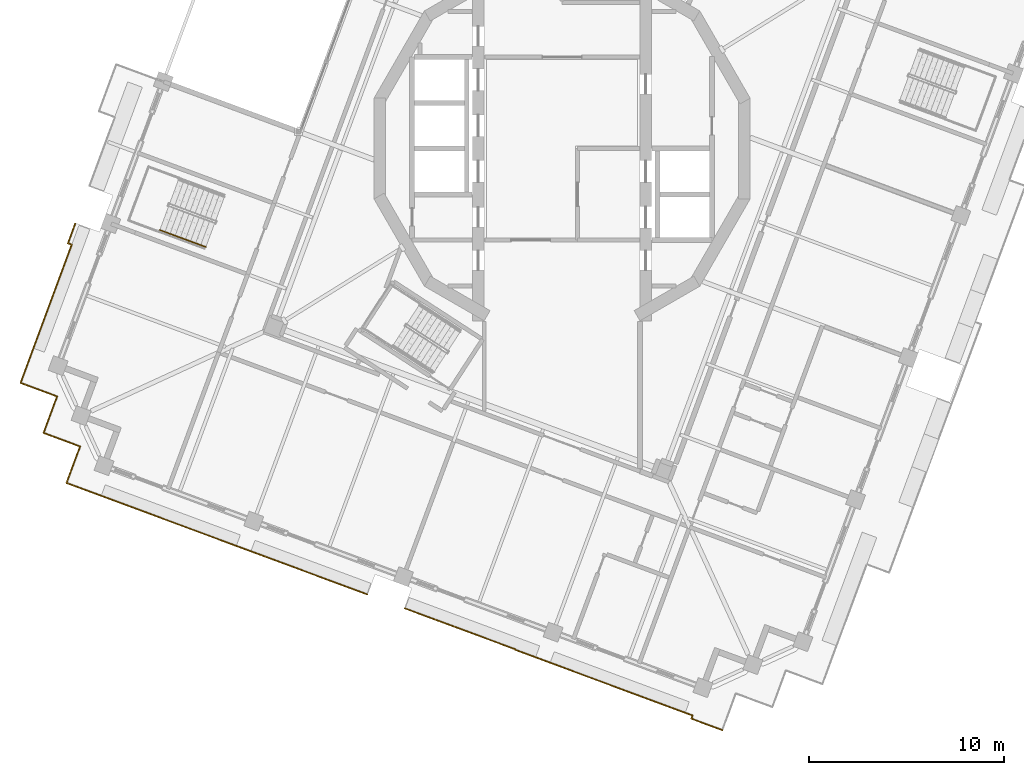
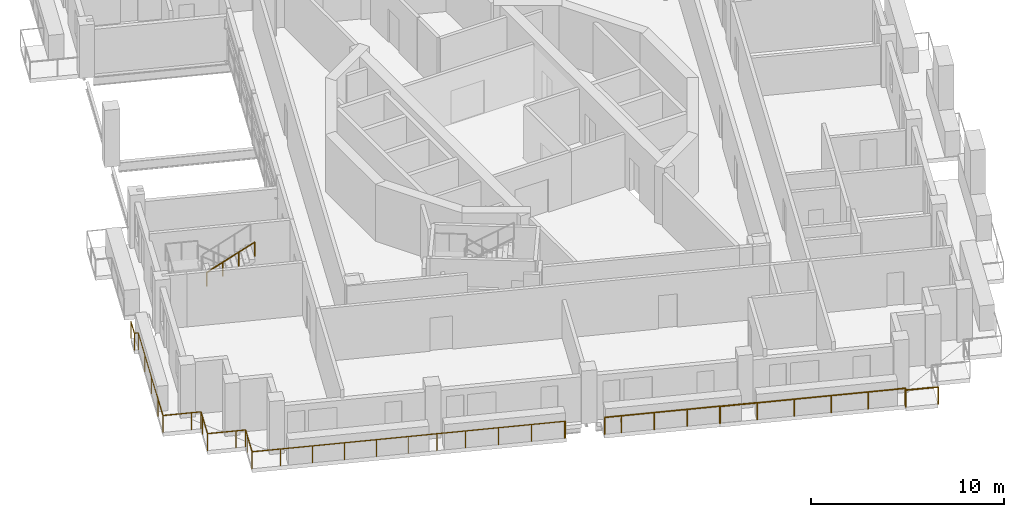
# One storey, part 15 of 20: 4 railings.
"""IFC4 building model written with IfcOpenShell, lengths in metres."""

import ifcopenshell
import ifcopenshell.guid

model = None  # the IFC model being written
_history = None  # IfcOwnerHistory: only IFC2X3 demands one
_inside = {}  # id of a spatial element -> (the spatial element, [elements in it])
_under = {}  # id of a project, library or spatial element -> (it, [spatial elements below it])
_declared = {}  # id of a project -> (the project, [libraries it declares])
_typed = {}  # id of a type object -> (the type object, [elements of that type])
_made_of = {}  # id of a material, layer set ... -> (it, [elements and type objects made of it])


def new_model(schema):
    """Start an empty IFC model of exactly this schema.

    Asked for "IFC4X3", IfcOpenShell would pick the latest addendum, in which some entities
    have other attributes; the version numbers below select the first issue.
    IFC2X3 requires an IfcOwnerHistory on every rooted entity: one is made here for all.
    """
    global model, _history
    if schema == "IFC4X3":
        model = ifcopenshell.file(schema_version=(4, 3, 0, 0))
    else:
        model = ifcopenshell.file(schema=schema)
    _inside.clear()
    _under.clear()
    _declared.clear()
    _typed.clear()
    _made_of.clear()
    _history = None
    if model.schema == "IFC2X3":
        org = make("IfcOrganization", Name="unknown")
        user = make(
            "IfcPersonAndOrganization",
            ThePerson=make("IfcPerson", FamilyName="unknown"),
            TheOrganization=org,
        )
        app = make(
            "IfcApplication",
            ApplicationDeveloper=org,
            Version="unknown",
            ApplicationFullName="unknown",
            ApplicationIdentifier="unknown",
        )
        _history = make(
            "IfcOwnerHistory",
            OwningUser=user,
            OwningApplication=app,
            ChangeAction="ADDED",
            CreationDate=0,
        )
    return model


def make(cls, **values):
    """One entity of the class cls with the attributes given. An attribute that is None is left unset."""
    return model.create_entity(
        cls, **{name: value for name, value in values.items() if value is not None}
    )


def rooted(cls, **values):
    """An entity with a GlobalId (a new one), such as an element, a storey or a relation."""
    return make(cls, GlobalId=ifcopenshell.guid.new(), OwnerHistory=_history, **values)


def si_unit(unit_type, name, prefix=None):
    """IfcSIUnit, for example si_unit("LENGTHUNIT", "METRE", prefix="MILLI")."""
    return make("IfcSIUnit", UnitType=unit_type, Prefix=prefix, Name=name)


def assignment(units):
    """IfcUnitAssignment: the units of a project."""
    return None if units is None else make("IfcUnitAssignment", Units=units)


def point(xyz):
    """IfcCartesianPoint."""
    return None if xyz is None else make("IfcCartesianPoint", Coordinates=xyz)


def direction(xyz):
    """IfcDirection."""
    return None if xyz is None else make("IfcDirection", DirectionRatios=xyz)


def frame(location, z_axis=None, x_axis=None):
    """IfcAxis2Placement3D, a coordinate frame: its origin and axes. An axis left out is left unset."""
    return make(
        "IfcAxis2Placement3D",
        Location=point(location),
        Axis=direction(z_axis),
        RefDirection=direction(x_axis),
    )


def frame_2d(location, x_axis=None):
    """IfcAxis2Placement2D, a coordinate frame in the plane: its origin and x axis."""
    return make(
        "IfcAxis2Placement2D", Location=point(location), RefDirection=direction(x_axis)
    )


def origin():
    """The frame at (0, 0, 0) with its axes left unset."""
    return frame((0.0, 0.0, 0.0))


def origin_2d():
    """The frame at (0, 0) in the plane with its x axis left unset."""
    return frame_2d((0.0, 0.0))


def place(relative_to, where):
    """IfcLocalPlacement: puts the frame where relative to a parent placement (None: the world)."""
    return make(
        "IfcLocalPlacement", PlacementRelTo=relative_to, RelativePlacement=where
    )


def context(
    kind, dimensions, precision=None, world=None, true_north=None, identifier=None
):
    """IfcGeometricRepresentationContext, for example the 3D "Model" context."""
    return make(
        "IfcGeometricRepresentationContext",
        ContextIdentifier=identifier,
        ContextType=kind,
        CoordinateSpaceDimension=dimensions,
        Precision=precision,
        WorldCoordinateSystem=world,
        TrueNorth=true_north,
    )


def subcontext(parent, identifier, kind, view, scale=None):
    """IfcGeometricRepresentationSubContext, for example "Body" below "Model"."""
    return make(
        "IfcGeometricRepresentationSubContext",
        ContextIdentifier=identifier,
        ContextType=kind,
        ParentContext=parent,
        TargetScale=scale,
        TargetView=view,
    )


def project(units=None, contexts=None):
    """IfcProject with its units and contexts."""
    return rooted(
        "IfcProject",
        Name="project",
        RepresentationContexts=contexts,
        UnitsInContext=assignment(units),
    )


def spatial(cls, under=None, at=None, **own):
    """A site, building, storey or space (cls), placed at a placement, below another one or the project."""
    s = rooted(cls, ObjectPlacement=at, **own)
    if under is not None:
        _under.setdefault(under.id(), (under, []))[1].append(s)
    return s


def profile(cls, at=None, kind="AREA", **sizes):
    """A parametric profile (cls). Its sizes go by their IFC names, for example OverallWidth=200.0."""
    return make(cls, ProfileType=kind, Position=at, **sizes)


def circle(**sizes):
    """IfcCircleProfileDef."""
    return profile("IfcCircleProfileDef", **sizes)


def extrude(swept, where, along, depth):
    """IfcExtrudedAreaSolid: the profile swept, set in the frame where, extruded along a direction by depth."""
    return make(
        "IfcExtrudedAreaSolid",
        SweptArea=swept,
        Position=where,
        ExtrudedDirection=direction(along),
        Depth=depth,
    )


def shape(context_of_items, identifier, shape_type, items):
    """IfcShapeRepresentation: the items that make up one representation, for example the "Body"."""
    return make(
        "IfcShapeRepresentation",
        ContextOfItems=context_of_items,
        RepresentationIdentifier=identifier,
        RepresentationType=shape_type,
        Items=items,
    )


def material(Name=None, Category=None):
    """IfcMaterial."""
    return make("IfcMaterial", Name=Name, Category=Category)


def made_of(thing, what):
    """Note that an element or type object is made of a material, layer set ...; save() writes the relation."""
    if what is not None:
        _made_of.setdefault(what.id(), (what, []))[1].append(thing)
    return thing


def type_object(cls, material=None, **own):
    """A type object (cls), such as IfcWallType, which elements share."""
    return made_of(rooted(cls, **own), material)


def element(
    cls,
    number,
    at=None,
    inside=None,
    cuts=None,
    type_object=None,
    material=None,
    context=None,
    identifier="Body",
    shape_type=None,
    held_by="IfcProductDefinitionShape",
    body=None,
    shapes=None,
    **own,
):
    """One element of the class cls, such as IfcWall. Its Tag is "e" and its number.

    at: its placement. inside: the storey or other place that contains it. cuts: it is an
    opening in that element (IfcRelVoidsElement). A single representation is given by context,
    identifier, shape_type and body (its items); several are given by shapes. held_by: the class
    of the entity that holds the representations. save() writes the other relations.
    """
    e = rooted(cls, Tag="e%d" % number, ObjectPlacement=at, **own)
    if body is not None:
        shapes = [shape(context, identifier, shape_type, body)]
    if shapes is not None:
        e.Representation = make(held_by, Representations=shapes)
    if inside is not None:
        _inside.setdefault(inside.id(), (inside, []))[1].append(e)
    if cuts is not None:
        rooted(
            "IfcRelVoidsElement", RelatingBuildingElement=cuts, RelatedOpeningElement=e
        )
    if type_object is not None:
        _typed.setdefault(type_object.id(), (type_object, []))[1].append(e)
    return made_of(e, material)


def aggregate(whole, parts):
    """IfcRelAggregates: a whole, such as a stair, and the parts it consists of."""
    return rooted("IfcRelAggregates", RelatingObject=whole, RelatedObjects=parts)


def save(model, path):
    """Write the relations noted so far, then the file.

    IfcRelAggregates (storeys below a building ...), IfcRelContainedInSpatialStructure (elements
    in a storey), IfcRelDefinesByType, IfcRelAssociatesMaterial and IfcRelDeclares: one each for
    every whole, place, type object, material and project.
    """
    for whole, parts in _under.values():
        aggregate(whole, parts)
    for where, things in _inside.values():
        rooted(
            "IfcRelContainedInSpatialStructure",
            RelatedElements=things,
            RelatingStructure=where,
        )
    for kind, things in _typed.values():
        rooted("IfcRelDefinesByType", RelatedObjects=things, RelatingType=kind)
    for what, things in _made_of.values():
        rooted("IfcRelAssociatesMaterial", RelatedObjects=things, RelatingMaterial=what)
    for by, libraries in _declared.values():
        rooted("IfcRelDeclares", RelatingContext=by, RelatedDefinitions=libraries)
    model.write(path)


model = new_model("IFC4")

# Units and contexts
model_context = context("Model", 3, precision=1e-05, world=origin(), true_north=direction((0.0, 1.0)))
body_context = subcontext(model_context, "Body", "Model", "MODEL_VIEW")
ifc_project = project(units=[si_unit("LENGTHUNIT", "METRE"), si_unit("AREAUNIT", "SQUARE_METRE"), si_unit("VOLUMEUNIT", "CUBIC_METRE"), si_unit("PLANEANGLEUNIT", "RADIAN"), si_unit("MASSUNIT", "GRAM", prefix="KILO")], contexts=[model_context])

# Site, building, storey
site_placement = place(None, origin())
site = spatial("IfcSite", under=ifc_project, at=site_placement, CompositionType="ELEMENT")
building_placement = place(site_placement, origin())
building = spatial("IfcBuilding", under=site, at=building_placement, Name="Cantera Rosa Tower", CompositionType="ELEMENT")
storey_placement = place(building_placement, frame((0.0, 0.0, 313.300048828125)))
storey = spatial("IfcBuildingStorey", under=building, at=storey_placement, Name="L69", CompositionType="ELEMENT", Elevation=313.300048828125)

# Railings
ifc_material_1 = material(Name="Stainless steel and laminated glass", Category="steel")
railing_type_1 = type_object("IfcRailingType", Name="GUARD 1100", PredefinedType="BALUSTRADE", material=ifc_material_1)
railing_1_placement = place(storey_placement, frame((-26.113525390625, -13.198486328125, 0.0)))
element("IfcRailing", 1, at=railing_1_placement, inside=storey, type_object=railing_type_1, Name="GUARD L69-1", PredefinedType="BALUSTRADE", context=body_context, shape_type="SweptSolid", body=[
    extrude(circle(Radius=0.030029296875, at=origin_2d()), frame((0.0, 0.0, 1.070068359375), z_axis=(0.347696042931, 0.937607306781, 0.0), x_axis=(-0.937607306781, 0.347696042931, 0.0)), (0.0, 0.0, 1.0), 0.5),
    extrude(circle(Radius=0.030029296875, at=origin_2d()), frame((0.173828125, 0.46875, 1.070068359375), z_axis=(-0.937607306781, 0.347696042931, 0.0), x_axis=(-0.347696042931, -0.937607306781, 0.0)), (0.0, 0.0, 1.0), 0.5),
    extrude(circle(Radius=0.030029296875, at=origin_2d()), frame((-0.294921875, 0.642578125, 1.070068359375), z_axis=(-0.93769967459, 0.347446859641, 0.0), x_axis=(-0.347446859641, -0.93769967459, 0.0)), (0.0, 0.0, 1.0), 1.500244140625),
    extrude(circle(Radius=0.030029296875, at=origin_2d()), frame((-1.70166015625, 1.163818359375, 1.070068359375), z_axis=(0.347499887537, 0.937680024402, 0.0), x_axis=(-0.937680024402, 0.347499887537, 0.0)), (0.0, 0.0, 1.0), 1.5),
    extrude(circle(Radius=0.030029296875, at=origin_2d()), frame((-1.180419921875, 2.5703125, 1.070068359375), z_axis=(0.347479430906, 0.937687605281, 0.0), x_axis=(-0.937687605281, 0.347479430906, 0.0)), (0.0, 0.0, 1.0), 6.069091796875),
    extrude(circle(Radius=0.030029296875, at=origin_2d()), frame((0.928466796875, 8.26123046875, 1.070068359375), z_axis=(-0.937748760724, 0.347314355824, 0.0), x_axis=(-0.347314355824, -0.937748760724, 0.0)), (0.0, 0.0, 1.0), 0.2109375),
    extrude(circle(Radius=0.030029296875, at=origin_2d()), frame((0.730712890625, 8.33447265625, 1.070068359375), z_axis=(0.347358490331, 0.937732413429, 0.0), x_axis=(-0.937732413429, 0.347358490331, 0.0)), (0.0, 0.0, 1.0), 1.0810546875),
    extrude(circle(Radius=0.02490234375, at=origin_2d()), origin(), (0.0, 0.0, 1.0), 1.0400390625),
    extrude(circle(Radius=0.02490234375, at=origin_2d()), frame((0.173828125, 0.46875, 0.0)), (0.0, 0.0, 1.0), 1.0400390625),
    extrude(circle(Radius=0.02490234375, at=origin_2d()), frame((-0.294921875, 0.642578125, 0.0)), (0.0, 0.0, 1.0), 1.0400390625),
    extrude(circle(Radius=0.02490234375, at=origin_2d()), frame((-1.70166015625, 1.163818359375, 0.0)), (0.0, 0.0, 1.0), 1.0400390625),
    extrude(circle(Radius=0.02490234375, at=origin_2d()), frame((-1.180419921875, 2.5703125, 0.0)), (0.0, 0.0, 1.0), 1.0400390625),
    extrude(circle(Radius=0.02490234375, at=origin_2d()), frame((-0.4775390625, 4.46728515625, 0.0)), (0.0, 0.0, 1.0), 1.0400390625),
    extrude(circle(Radius=0.02490234375, at=origin_2d()), frame((0.2255859375, 6.3642578125, 0.0)), (0.0, 0.0, 1.0), 1.0400390625),
    extrude(circle(Radius=0.02490234375, at=origin_2d()), frame((0.928466796875, 8.26123046875, 0.0)), (0.0, 0.0, 1.0), 1.0400390625),
    extrude(circle(Radius=0.02490234375, at=origin_2d()), frame((0.730712890625, 8.33447265625, 0.0)), (0.0, 0.0, 1.0), 1.0400390625),
    extrude(circle(Radius=0.02490234375, at=origin_2d()), frame((1.106201171875, 9.34814453125, 0.0)), (0.0, 0.0, 1.0), 1.0400390625),
])
railing_2_placement = place(storey_placement, frame((-10.010498046875, -22.8984375, 0.0)))
element("IfcRailing", 2, at=railing_2_placement, inside=storey, type_object=railing_type_1, Name="GUARD L69-2", PredefinedType="BALUSTRADE", context=body_context, shape_type="SweptSolid", body=[
    extrude(circle(Radius=0.030029296875, at=origin_2d()), frame((0.0, 0.0, 1.070068359375), z_axis=(-0.937327749542, 0.348448977525, 0.0), x_axis=(-0.348448977525, -0.937327749542, 0.0)), (0.0, 0.0, 1.0), 0.070068359375),
    extrude(circle(Radius=0.030029296875, at=origin_2d()), frame((-0.065673828125, 0.0244140625, 1.070068359375), z_axis=(-0.937688147358, 0.347477968085, 0.0), x_axis=(-0.347477968085, -0.937688147358, 0.0)), (0.0, 0.0, 1.0), 5.199951171875),
    extrude(circle(Radius=0.030029296875, at=origin_2d()), frame((-4.941650390625, 1.831298828125, 1.070068359375), z_axis=(-0.937680024402, 0.347499887537, 0.0), x_axis=(-0.347499887537, -0.937680024402, 0.0)), (0.0, 0.0, 1.0), 3.0),
    extrude(circle(Radius=0.030029296875, at=origin_2d()), frame((-7.754638671875, 2.873779296875, 1.070068359375), z_axis=(-0.937686328856, 0.347482875373, 0.0), x_axis=(-0.347482875373, -0.937686328856, 0.0)), (0.0, 0.0, 1.0), 6.699951171875),
    extrude(circle(Radius=0.030029296875, at=origin_2d()), frame((-14.037109375, 5.201904296875, 1.070068359375), z_axis=(-0.93769967459, 0.347446859641, 0.0), x_axis=(-0.347446859641, -0.93769967459, 0.0)), (0.0, 0.0, 1.0), 1.500244140625),
    extrude(circle(Radius=0.030029296875, at=origin_2d()), frame((-15.44384765625, 5.72314453125, 1.070068359375), z_axis=(0.347499887537, 0.937680024402, 0.0), x_axis=(-0.937680024402, 0.347499887537, 0.0)), (0.0, 0.0, 1.0), 1.5),
    extrude(circle(Radius=0.030029296875, at=origin_2d()), frame((-14.922607421875, 7.129638671875, 1.070068359375), z_axis=(0.347696042931, 0.937607306781, 0.0), x_axis=(-0.937607306781, 0.347696042931, 0.0)), (0.0, 0.0, 1.0), 0.5),
    extrude(circle(Radius=0.030029296875, at=origin_2d()), frame((-14.748779296875, 7.598388671875, 1.070068359375), z_axis=(-0.937607306781, 0.347696042931, 0.0), x_axis=(-0.347696042931, -0.937607306781, 0.0)), (0.0, 0.0, 1.0), 0.5),
    extrude(circle(Radius=0.030029296875, at=origin_2d()), frame((-15.217529296875, 7.772216796875, 1.070068359375), z_axis=(-0.93769967459, 0.347446859641, 0.0), x_axis=(-0.347446859641, -0.93769967459, 0.0)), (0.0, 0.0, 1.0), 1.500244140625),
    extrude(circle(Radius=0.030029296875, at=origin_2d()), frame((-16.624267578125, 8.29345703125, 1.070068359375), z_axis=(0.347499887537, 0.937680024402, 0.0), x_axis=(-0.937680024402, 0.347499887537, 0.0)), (0.0, 0.0, 1.0), 1.5),
    extrude(circle(Radius=0.02490234375, at=origin_2d()), origin(), (0.0, 0.0, 1.0), 1.0400390625),
    extrude(circle(Radius=0.02490234375, at=origin_2d()), frame((-0.065673828125, 0.0244140625, 0.0)), (0.0, 0.0, 1.0), 1.0400390625),
    extrude(circle(Radius=0.02490234375, at=origin_2d()), frame((-1.69091796875, 0.626708984375, 0.0)), (0.0, 0.0, 1.0), 1.0400390625),
    extrude(circle(Radius=0.02490234375, at=origin_2d()), frame((-3.31640625, 1.22900390625, 0.0)), (0.0, 0.0, 1.0), 1.0400390625),
    extrude(circle(Radius=0.02490234375, at=origin_2d()), frame((-4.941650390625, 1.831298828125, 0.0)), (0.0, 0.0, 1.0), 1.0400390625),
    extrude(circle(Radius=0.02490234375, at=origin_2d()), frame((-6.34814453125, 2.3525390625, 0.0)), (0.0, 0.0, 1.0), 1.0400390625),
    extrude(circle(Radius=0.02490234375, at=origin_2d()), frame((-7.754638671875, 2.873779296875, 0.0)), (0.0, 0.0, 1.0), 1.0400390625),
    extrude(circle(Radius=0.02490234375, at=origin_2d()), frame((-9.3251953125, 3.455810546875, 0.0)), (0.0, 0.0, 1.0), 1.0400390625),
    extrude(circle(Radius=0.02490234375, at=origin_2d()), frame((-10.89599609375, 4.037841796875, 0.0)), (0.0, 0.0, 1.0), 1.0400390625),
    extrude(circle(Radius=0.02490234375, at=origin_2d()), frame((-12.466552734375, 4.619873046875, 0.0)), (0.0, 0.0, 1.0), 1.0400390625),
    extrude(circle(Radius=0.02490234375, at=origin_2d()), frame((-14.037109375, 5.201904296875, 0.0)), (0.0, 0.0, 1.0), 1.0400390625),
    extrude(circle(Radius=0.02490234375, at=origin_2d()), frame((-15.44384765625, 5.72314453125, 0.0)), (0.0, 0.0, 1.0), 1.0400390625),
    extrude(circle(Radius=0.02490234375, at=origin_2d()), frame((-14.922607421875, 7.129638671875, 0.0)), (0.0, 0.0, 1.0), 1.0400390625),
    extrude(circle(Radius=0.02490234375, at=origin_2d()), frame((-14.748779296875, 7.598388671875, 0.0)), (0.0, 0.0, 1.0), 1.0400390625),
    extrude(circle(Radius=0.02490234375, at=origin_2d()), frame((-15.217529296875, 7.772216796875, 0.0)), (0.0, 0.0, 1.0), 1.0400390625),
    extrude(circle(Radius=0.02490234375, at=origin_2d()), frame((-16.624267578125, 8.29345703125, 0.0)), (0.0, 0.0, 1.0), 1.0400390625),
    extrude(circle(Radius=0.02490234375, at=origin_2d()), frame((-16.10302734375, 9.699951171875, 0.0)), (0.0, 0.0, 1.0), 1.0400390625),
])
railing_3_placement = place(storey_placement, frame((8.23291015625, -29.872314453125, 0.0)))
element("IfcRailing", 3, at=railing_3_placement, inside=storey, type_object=railing_type_1, Name="GUARD L69-6", PredefinedType="BALUSTRADE", context=body_context, shape_type="SweptSolid", body=[
    extrude(circle(Radius=0.030029296875, at=origin_2d()), frame((0.0, 0.0, 1.070068359375), z_axis=(-0.93766211216, 0.347548217403, 0.0), x_axis=(-0.347548217403, -0.93766211216, 0.0)), (0.0, 0.0, 1.0), 1.699951171875),
    extrude(circle(Radius=0.030029296875, at=origin_2d()), frame((-1.593994140625, 0.5908203125, 1.070068359375), z_axis=(0.346946854775, 0.937884790346, 0.0), x_axis=(-0.937884790346, 0.346946854775, 0.0)), (0.0, 0.0, 1.0), 0.173095703125),
    extrude(circle(Radius=0.030029296875, at=origin_2d()), frame((-1.533935546875, 0.753173828125, 1.070068359375), z_axis=(-0.937685768229, 0.347484388226, 0.0), x_axis=(-0.347484388226, -0.937685768229, 0.0)), (0.0, 0.0, 1.0), 9.726806640625),
    extrude(circle(Radius=0.030029296875, at=origin_2d()), frame((-10.654541015625, 4.133056640625, 1.070068359375), z_axis=(0.346127430472, 0.93818750891, 0.0), x_axis=(-0.93818750891, 0.346127430472, 0.0)), (0.0, 0.0, 1.0), 0.02685546875),
    extrude(circle(Radius=0.030029296875, at=origin_2d()), frame((-10.645263671875, 4.158203125, 1.070068359375), z_axis=(-0.937685555013, 0.347484963589, 0.0), x_axis=(-0.347484963589, -0.937685555013, 0.0)), (0.0, 0.0, 1.0), 5.173095703125),
    extrude(circle(Radius=0.030029296875, at=origin_2d()), frame((-15.49609375, 5.955810546875, 1.070068359375), z_axis=(-0.937694580373, 0.347460607753, 0.0), x_axis=(-0.347460607753, -0.937694580373, 0.0)), (0.0, 0.0, 1.0), 0.869873046875),
    extrude(circle(Radius=0.02490234375, at=origin_2d()), origin(), (0.0, 0.0, 1.0), 1.0400390625),
    extrude(circle(Radius=0.02490234375, at=origin_2d()), frame((-1.593994140625, 0.5908203125, 0.0)), (0.0, 0.0, 1.0), 1.0400390625),
    extrude(circle(Radius=0.02490234375, at=origin_2d()), frame((-1.533935546875, 0.753173828125, 0.0)), (0.0, 0.0, 1.0), 1.0400390625),
    extrude(circle(Radius=0.02490234375, at=origin_2d()), frame((-3.358154296875, 1.42919921875, 0.0)), (0.0, 0.0, 1.0), 1.0400390625),
    extrude(circle(Radius=0.02490234375, at=origin_2d()), frame((-5.18212890625, 2.105224609375, 0.0)), (0.0, 0.0, 1.0), 1.0400390625),
    extrude(circle(Radius=0.02490234375, at=origin_2d()), frame((-7.00634765625, 2.781005859375, 0.0)), (0.0, 0.0, 1.0), 1.0400390625),
    extrude(circle(Radius=0.02490234375, at=origin_2d()), frame((-8.830322265625, 3.45703125, 0.0)), (0.0, 0.0, 1.0), 1.0400390625),
    extrude(circle(Radius=0.02490234375, at=origin_2d()), frame((-10.654541015625, 4.133056640625, 0.0)), (0.0, 0.0, 1.0), 1.0400390625),
    extrude(circle(Radius=0.02490234375, at=origin_2d()), frame((-10.645263671875, 4.158203125, 0.0)), (0.0, 0.0, 1.0), 1.0400390625),
    extrude(circle(Radius=0.02490234375, at=origin_2d()), frame((-12.26220703125, 4.75732421875, 0.0)), (0.0, 0.0, 1.0), 1.0400390625),
    extrude(circle(Radius=0.02490234375, at=origin_2d()), frame((-13.879150390625, 5.356689453125, 0.0)), (0.0, 0.0, 1.0), 1.0400390625),
    extrude(circle(Radius=0.02490234375, at=origin_2d()), frame((-15.49609375, 5.955810546875, 0.0)), (0.0, 0.0, 1.0), 1.0400390625),
    extrude(circle(Radius=0.02490234375, at=origin_2d()), frame((-16.311767578125, 6.258056640625, 0.0)), (0.0, 0.0, 1.0), 1.0400390625),
])
ifc_material_2 = material(Name="Steel S355J2 (EN 10025-2)", Category="steel")
railing_type_2 = type_object("IfcRailingType", Name="STAIR HANDRAIL 900", PredefinedType="HANDRAIL", material=ifc_material_2)
railing_4_placement = place(storey_placement, frame((-20.660400390625, -4.181396484375, 1.97998046875)))
element("IfcRailing", 4, at=railing_4_placement, inside=storey, type_object=railing_type_2, Name="L69 ST-63 stair handrail 2", PredefinedType="HANDRAIL", context=body_context, shape_type="SweptSolid", body=[
    extrude(circle(Radius=0.02392578125, at=origin_2d()), frame((0.0, 0.0, 0.8759765625), z_axis=(0.78878233546, -0.292319685639, 0.540713998944), x_axis=(0.347500508527, 0.937679794265, 0.0)), (0.0, 0.0, 1.0), 2.995849609375),
    extrude(circle(Radius=0.02099609375, at=origin_2d()), origin(), (0.0, 0.0, 1.0), 0.851806640625),
    extrude(circle(Radius=0.02099609375, at=origin_2d()), frame((0.78759765625, -0.2919921875, 0.5400390625)), (0.0, 0.0, 1.0), 0.851806640625),
    extrude(circle(Radius=0.02099609375, at=origin_2d()), frame((1.575439453125, -0.583740234375, 1.079833984375)), (0.0, 0.0, 1.0), 0.851806640625),
    extrude(circle(Radius=0.02099609375, at=origin_2d()), frame((2.363037109375, -0.875732421875, 1.619873046875)), (0.0, 0.0, 1.0), 0.851806640625),
])

save(model, "model.ifc")
